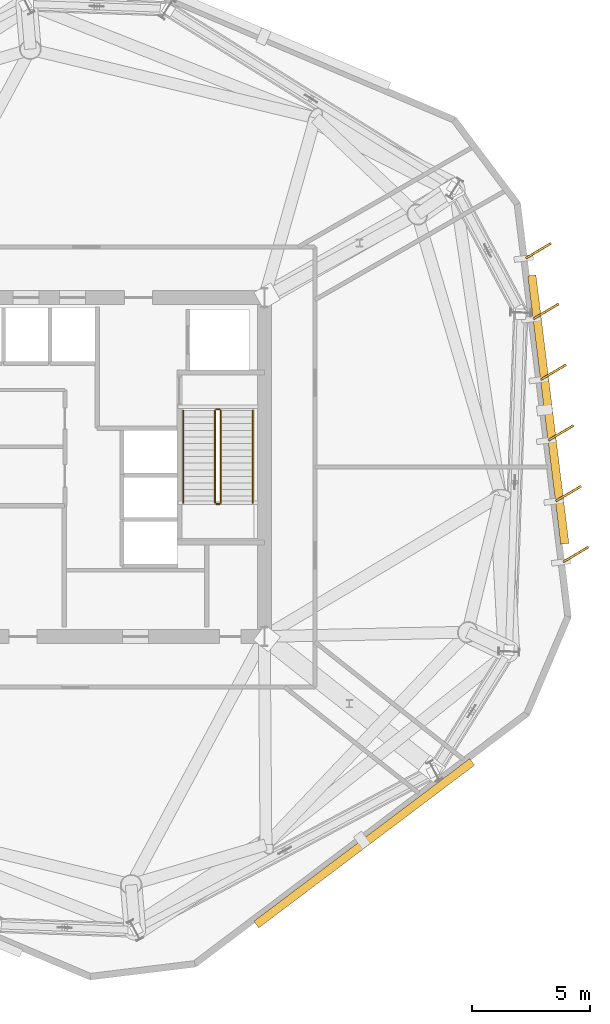
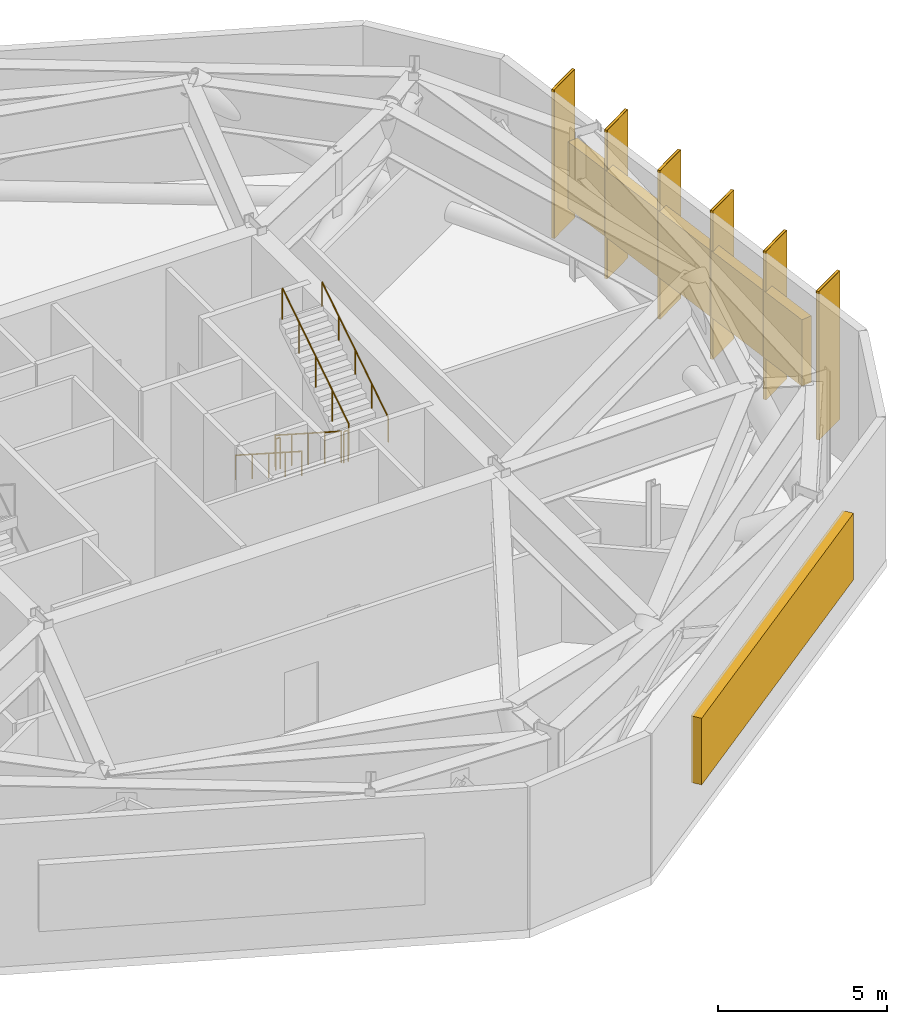
# One storey, part 10 of 11: 8 shading devices, 6 coverings, 6 railings.
"""IFC4 building model written with IfcOpenShell, lengths in metres."""

from ifc_helpers import new_model, si_unit, direction, frame, origin, origin_2d, place, context, subcontext, project, spatial, rectangle, circle, extrude, material, layer, layer_set, type_object, element, save


model = new_model("IFC4")

# Units and contexts
model_context = context("Model", 3, precision=1e-05, world=origin(), true_north=direction((0.0, 1.0)))
body_context = subcontext(model_context, "Body", "Model", "MODEL_VIEW")
ifc_project = project(units=[si_unit("LENGTHUNIT", "METRE"), si_unit("AREAUNIT", "SQUARE_METRE"), si_unit("VOLUMEUNIT", "CUBIC_METRE"), si_unit("PLANEANGLEUNIT", "RADIAN"), si_unit("MASSUNIT", "GRAM", prefix="KILO")], contexts=[model_context])

# Site, building, storey
site_placement = place(None, origin())
site = spatial("IfcSite", under=ifc_project, at=site_placement, CompositionType="ELEMENT")
building_placement = place(site_placement, origin())
building = spatial("IfcBuilding", under=site, at=building_placement, Name="Kranzbogen Civic Tower", CompositionType="ELEMENT")
storey_placement = place(building_placement, frame((0.0, 0.0, 170.39990234375)))
storey = spatial("IfcBuildingStorey", under=building, at=storey_placement, Name="L41", CompositionType="ELEMENT", Elevation=170.39990234375)

# Coverings
ifc_material_1 = material(Name="Pale Anodised Aluminium", Category="aluminium")
ifc_layer = layer(ifc_material_1, 0.02490234375, Name="Pale Anodised Aluminium")
ifc_layer_set = layer_set([ifc_layer], Name="Pale Anodised Aluminium")
covering_type = type_object("IfcCoveringType", Name="Anodised Aluminium Vertical Fin Cladding 25 mm", PredefinedType="CLADDING", material=ifc_layer_set)
for number, where, z_axis, x_axis, name in (
    (1, (46.031982421875, 21.285888671875, -0.14013671875), (0.0, 0.0, 1.0), (0.860110570438, 0.510107642191, 0.0), "L41 vertical fin pale-metal cladding F6-1"),
    (2, (45.715087890625, 23.866943359375, -0.14013671875), (0.0, 0.0, 1.0), (0.860110570438, 0.510107642191, 0.0), "L41 vertical fin pale-metal cladding F6-2"),
    (3, (45.39794921875, 26.447021484375, -0.14013671875), (0.0, 0.0, 1.0), (0.860110570438, 0.510107642191, 0.0), "L41 vertical fin pale-metal cladding F6-3"),
    (4, (45.0810546875, 29.028076171875, -0.14013671875), (0.0, 0.0, 1.0), (0.860110570438, 0.510107642191, 0.0), "L41 vertical fin pale-metal cladding F6-4"),
    (5, (44.763916015625, 31.60888671875, -0.14013671875), (0.0, 0.0, 1.0), (0.860110570438, 0.510107642191, 0.0), "L41 vertical fin pale-metal cladding F6-5"),
    (6, (44.447021484375, 34.18896484375, -0.14013671875), (0.0, 0.0, 1.0), (0.860110570438, 0.510107642191, 0.0), "L41 vertical fin pale-metal cladding F6-6"),
):
    element("IfcCovering", number, at=place(storey_placement, frame(where, z_axis=z_axis, x_axis=x_axis)), inside=storey, type_object=covering_type, Name=name, PredefinedType="CLADDING", context=body_context, shape_type="SweptSolid", body=[
        extrude(rectangle(XDim=1.25, YDim=0.10009765625, at=origin_2d()), origin(), (0.0, 0.0, 1.0), 5.360107421875),
    ])

# Shading devices
ifc_material_2 = material(Name="Anodised Bronze Aluminium", Category="aluminium")
shading_device_type_1 = type_object("IfcShadingDeviceType", Name="Anodised Bronze Vertical Facade Fin 1250x80", PredefinedType="USERDEFINED", material=ifc_material_2)
for number, where, z_axis, x_axis, name in (
    (7, (46.031982421875, 21.285888671875, -0.14013671875), (0.0, 0.0, 1.0), (0.860110570438, 0.510107642191, 0.0), "L41 vertical exterior shading fin F6-1"),
    (8, (45.715087890625, 23.866943359375, -0.14013671875), (0.0, 0.0, 1.0), (0.860110570438, 0.510107642191, 0.0), "L41 vertical exterior shading fin F6-2"),
    (9, (45.39794921875, 26.447021484375, -0.14013671875), (0.0, 0.0, 1.0), (0.860110570438, 0.510107642191, 0.0), "L41 vertical exterior shading fin F6-3"),
    (10, (45.0810546875, 29.028076171875, -0.14013671875), (0.0, 0.0, 1.0), (0.860110570438, 0.510107642191, 0.0), "L41 vertical exterior shading fin F6-4"),
    (11, (44.763916015625, 31.60888671875, -0.14013671875), (0.0, 0.0, 1.0), (0.860110570438, 0.510107642191, 0.0), "L41 vertical exterior shading fin F6-5"),
    (12, (44.447021484375, 34.18896484375, -0.14013671875), (0.0, 0.0, 1.0), (0.860110570438, 0.510107642191, 0.0), "L41 vertical exterior shading fin F6-6"),
):
    element("IfcShadingDevice", number, at=place(storey_placement, frame(where, z_axis=z_axis, x_axis=x_axis)), inside=storey, type_object=shading_device_type_1, Name=name, ObjectType="FIN", PredefinedType="USERDEFINED", context=body_context, shape_type="SweptSolid", body=[
        extrude(rectangle(XDim=1.25, YDim=0.080078125, at=origin_2d()), origin(), (0.0, 0.0, 1.0), 5.360107421875),
    ])

# Railings
ifc_material_3 = material(Name="Steel S355", Category="steel")
railing_type_1 = type_object("IfcRailingType", Name="Internal Stair and Void Steel Guardrail 1150", PredefinedType="GUARDRAIL", material=ifc_material_3)
railing_1_placement = place(storey_placement, frame((30.699951171875, 27.39990234375, 0.18017578125)))
element("IfcRailing", 13, at=railing_1_placement, inside=storey, type_object=railing_type_1, Name="L41 ST-T2 stair guard 1", PredefinedType="GUARDRAIL", context=body_context, shape_type="SweptSolid", body=[
    extrude(circle(Radius=0.02392578125, at=origin_2d()), frame((0.0, 0.0, 1.1259765625), z_axis=(0.0, -0.841171666519, 0.540768182723), x_axis=(1.0, 0.0, 0.0)), (0.0, 0.0, 1.0), 4.66015625),
    extrude(circle(Radius=0.02099609375, at=origin_2d()), origin(), (0.0, 0.0, 1.0), 1.101806640625),
    extrude(circle(Radius=0.02099609375, at=origin_2d()), frame((0.0, -0.97998046875, 0.6298828125)), (0.0, 0.0, 1.0), 1.101806640625),
    extrude(circle(Radius=0.02099609375, at=origin_2d()), frame((0.0, -1.9599609375, 1.260009765625)), (0.0, 0.0, 1.0), 1.101806640625),
    extrude(circle(Radius=0.02099609375, at=origin_2d()), frame((0.0, -2.93994140625, 1.89013671875)), (0.0, 0.0, 1.0), 1.101806640625),
    extrude(circle(Radius=0.02099609375, at=origin_2d()), frame((0.0, -3.919921875, 2.52001953125)), (0.0, 0.0, 1.0), 1.101806640625),
])
railing_2_placement = place(storey_placement, frame((30.75, 23.429931640625, 2.7001953125)))
element("IfcRailing", 14, at=railing_2_placement, inside=storey, type_object=railing_type_1, Name="L41 ST-T2 stair guard 2", PredefinedType="GUARDRAIL", context=body_context, shape_type="SweptSolid", body=[
    extrude(circle(Radius=0.02392578125, at=origin_2d()), frame((0.0, 0.0, 1.1259765625), z_axis=(1.0, 0.0, 0.0), x_axis=(0.0, 1.0, 0.0)), (0.0, 0.0, 1.0), 0.14990234375),
    extrude(circle(Radius=0.02099609375, at=origin_2d()), origin(), (0.0, 0.0, 1.0), 1.101806640625),
    extrude(circle(Radius=0.02099609375, at=origin_2d()), frame((0.14990234375, 0.0, 0.0)), (0.0, 0.0, 1.0), 1.101806640625),
])
railing_3_placement = place(storey_placement, frame((30.949951171875, 23.47998046875, 2.880126953125)))
element("IfcRailing", 15, at=railing_3_placement, inside=storey, type_object=railing_type_1, Name="L41 ST-T2 stair guard 3", PredefinedType="GUARDRAIL", context=body_context, shape_type="SweptSolid", body=[
    extrude(circle(Radius=0.02392578125, at=origin_2d()), frame((0.0, 0.0, 1.1259765625), z_axis=(0.0, 0.841171666519, 0.540768182723), x_axis=(-1.0, 0.0, 0.0)), (0.0, 0.0, 1.0), 4.66015625),
    extrude(circle(Radius=0.02099609375, at=origin_2d()), origin(), (0.0, 0.0, 1.0), 1.101806640625),
    extrude(circle(Radius=0.02099609375, at=origin_2d()), frame((0.0, 0.97998046875, 0.6298828125)), (0.0, 0.0, 1.0), 1.101806640625),
    extrude(circle(Radius=0.02099609375, at=origin_2d()), frame((0.0, 1.9599609375, 1.260009765625)), (0.0, 0.0, 1.0), 1.101806640625),
    extrude(circle(Radius=0.02099609375, at=origin_2d()), frame((0.0, 2.93994140625, 1.89013671875)), (0.0, 0.0, 1.0), 1.101806640625),
    extrude(circle(Radius=0.02099609375, at=origin_2d()), frame((0.0, 3.919921875, 2.52001953125)), (0.0, 0.0, 1.0), 1.101806640625),
])
railing_4_placement = place(storey_placement, frame((30.75, 27.449951171875, 0.0)))
element("IfcRailing", 16, at=railing_4_placement, inside=storey, type_object=railing_type_1, Name="L41 ST-T2 stair guard 4", PredefinedType="GUARDRAIL", context=body_context, shape_type="SweptSolid", body=[
    extrude(circle(Radius=0.02392578125, at=origin_2d()), frame((0.0, 0.0, 1.1259765625), z_axis=(1.0, 0.0, 0.0), x_axis=(0.0, 1.0, 0.0)), (0.0, 0.0, 1.0), 0.14990234375),
    extrude(circle(Radius=0.02099609375, at=origin_2d()), origin(), (0.0, 0.0, 1.0), 1.101806640625),
    extrude(circle(Radius=0.02099609375, at=origin_2d()), frame((0.14990234375, 0.0, 0.0)), (0.0, 0.0, 1.0), 1.101806640625),
])

# Shading devices
shading_device_type_2 = type_object("IfcShadingDeviceType", Name="Plant Band Acoustic Weather Louvre Module", PredefinedType="USERDEFINED", material=ifc_material_1)
shading_device_1_placement = place(storey_placement, frame((37.04296875, 9.01708984375, 1.3701171875), z_axis=(0.0, 0.0, 1.0), x_axis=(0.798593493487, 0.601870776962, 0.0)))
element("IfcShadingDevice", 17, at=shading_device_1_placement, inside=storey, type_object=shading_device_type_2, Name="L41 acoustic intake louvre 5", ObjectType="LOUVRE", PredefinedType="USERDEFINED", context=body_context, shape_type="SweptSolid", body=[
    extrude(rectangle(XDim=11.484375, YDim=0.35009765625, at=origin_2d()), origin(), (0.0, 0.0, 1.0), 2.39990234375),
])
shading_device_2_placement = place(storey_placement, frame((44.863037109375, 27.43896484375, 1.3701171875), z_axis=(0.0, 0.0, 1.0), x_axis=(-0.121852020188, 0.992548278511, 0.0)))
element("IfcShadingDevice", 18, at=shading_device_2_placement, inside=storey, type_object=shading_device_type_2, Name="L41 acoustic intake louvre 6", ObjectType="LOUVRE", PredefinedType="USERDEFINED", context=body_context, shape_type="SweptSolid", body=[
    extrude(rectangle(XDim=11.484619140625, YDim=0.35009765625, at=origin_2d()), origin(), (0.0, 0.0, 1.0), 2.39990234375),
])

# Railings
railing_type_2 = type_object("IfcRailingType", Name="Tubular Stainless Stair Wall Handrail 900", PredefinedType="HANDRAIL", material=ifc_material_1)
railing_5_placement = place(storey_placement, frame((29.35009765625, 27.39990234375, 0.18017578125)))
element("IfcRailing", 19, at=railing_5_placement, inside=storey, type_object=railing_type_2, Name="L41 ST-T2 stair handrail 1", PredefinedType="HANDRAIL", context=body_context, shape_type="SweptSolid", body=[
    extrude(circle(Radius=0.02392578125, at=origin_2d()), frame((0.0, 0.0, 0.8759765625), z_axis=(0.0, -0.841171666519, 0.540768182723), x_axis=(1.0, 0.0, 0.0)), (0.0, 0.0, 1.0), 4.66015625),
    extrude(circle(Radius=0.02099609375, at=origin_2d()), origin(), (0.0, 0.0, 1.0), 0.851806640625),
    extrude(circle(Radius=0.02099609375, at=origin_2d()), frame((0.0, -0.97998046875, 0.6298828125)), (0.0, 0.0, 1.0), 0.851806640625),
    extrude(circle(Radius=0.02099609375, at=origin_2d()), frame((0.0, -1.9599609375, 1.260009765625)), (0.0, 0.0, 1.0), 0.851806640625),
    extrude(circle(Radius=0.02099609375, at=origin_2d()), frame((0.0, -2.93994140625, 1.89013671875)), (0.0, 0.0, 1.0), 0.851806640625),
    extrude(circle(Radius=0.02099609375, at=origin_2d()), frame((0.0, -3.919921875, 2.52001953125)), (0.0, 0.0, 1.0), 0.851806640625),
])
railing_6_placement = place(storey_placement, frame((32.300048828125, 23.47998046875, 2.880126953125)))
element("IfcRailing", 20, at=railing_6_placement, inside=storey, type_object=railing_type_2, Name="L41 ST-T2 stair handrail 2", PredefinedType="HANDRAIL", context=body_context, shape_type="SweptSolid", body=[
    extrude(circle(Radius=0.02392578125, at=origin_2d()), frame((0.0, 0.0, 0.8759765625), z_axis=(0.0, 0.841171666519, 0.540768182723), x_axis=(-1.0, 0.0, 0.0)), (0.0, 0.0, 1.0), 4.66015625),
    extrude(circle(Radius=0.02099609375, at=origin_2d()), origin(), (0.0, 0.0, 1.0), 0.851806640625),
    extrude(circle(Radius=0.02099609375, at=origin_2d()), frame((0.0, 0.97998046875, 0.6298828125)), (0.0, 0.0, 1.0), 0.851806640625),
    extrude(circle(Radius=0.02099609375, at=origin_2d()), frame((0.0, 1.9599609375, 1.260009765625)), (0.0, 0.0, 1.0), 0.851806640625),
    extrude(circle(Radius=0.02099609375, at=origin_2d()), frame((0.0, 2.93994140625, 1.89013671875)), (0.0, 0.0, 1.0), 0.851806640625),
    extrude(circle(Radius=0.02099609375, at=origin_2d()), frame((0.0, 3.919921875, 2.52001953125)), (0.0, 0.0, 1.0), 0.851806640625),
])

save(model, "model.ifc")
